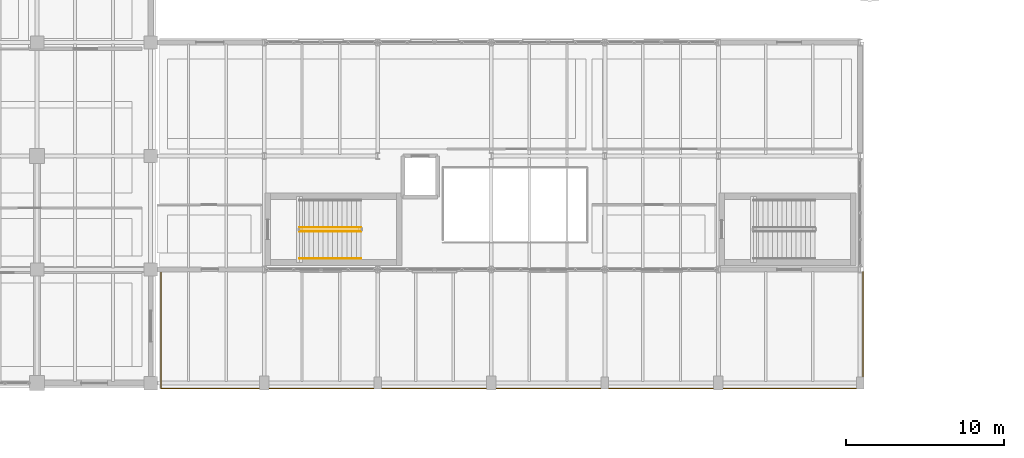
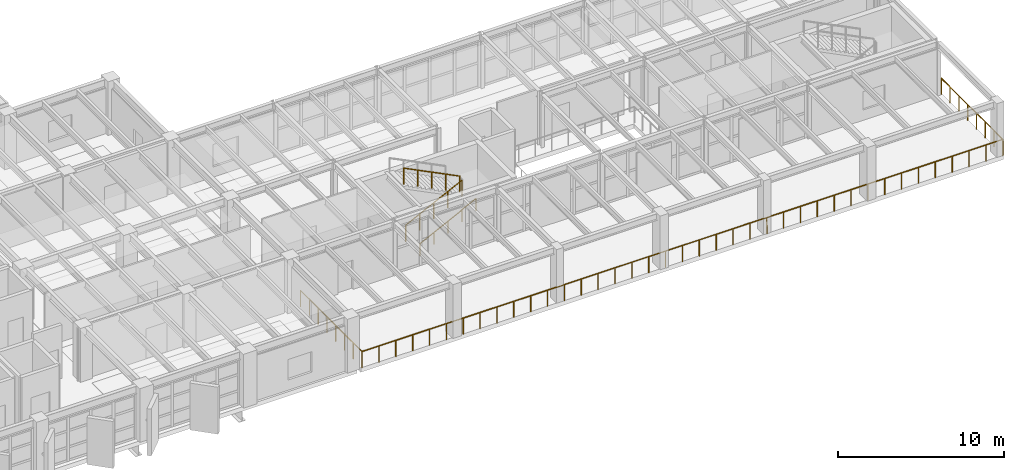
# One storey, part 55 of 59: 4 railings.
"""IFC4 building model written with IfcOpenShell, lengths in metres."""

from ifc_helpers import new_model, si_unit, direction, frame, origin, origin_2d, place, context, subcontext, project, spatial, circle, extrude, material, type_object, element, save


model = new_model("IFC4")

# Units and contexts
model_context = context("Model", 3, precision=1e-05, world=origin(), true_north=direction((0.0, 1.0)))
body_context = subcontext(model_context, "Body", "Model", "MODEL_VIEW")
ifc_project = project(units=[si_unit("LENGTHUNIT", "METRE"), si_unit("AREAUNIT", "SQUARE_METRE"), si_unit("VOLUMEUNIT", "CUBIC_METRE"), si_unit("PLANEANGLEUNIT", "RADIAN"), si_unit("MASSUNIT", "GRAM", prefix="KILO")], contexts=[model_context])

# Site, building, storey
site_placement = place(None, origin())
site = spatial("IfcSite", under=ifc_project, at=site_placement, CompositionType="ELEMENT")
building_placement = place(site_placement, origin())
building = spatial("IfcBuilding", under=site, at=building_placement, Name="Kandorven Conservatory and Botanical Research Centre", CompositionType="ELEMENT")
storey_placement = place(building_placement, frame((0.0, 0.0, 4.800048828125)))
storey = spatial("IfcBuildingStorey", under=building, at=storey_placement, Name="L01", CompositionType="ELEMENT", Elevation=4.800048828125)

# Railings
ifc_material_1 = material(Name="Steel S355 (IS 2062 E350)", Category="steel")
railing_type_1 = type_object("IfcRailingType", Name="Guard_Terrace", PredefinedType="BALUSTRADE", material=ifc_material_1)
railing_1_placement = place(storey_placement, frame((42.64990234375, 13.050048828125, 0.0)))
element("IfcRailing", 1, at=railing_1_placement, inside=storey, type_object=railing_type_1, Name="Visitor L01 covered colonnade balcony guard balustrade GR-01", PredefinedType="BALUSTRADE", context=body_context, shape_type="SweptSolid", body=[
    extrude(circle(Radius=0.02392578125, at=origin_2d()), frame((0.0, 0.0, 1.17578125), z_axis=(0.0, -1.0, 0.0), x_axis=(1.0, 0.0, 0.0)), (0.0, 0.0, 1.0), 7.400146484375),
    extrude(circle(Radius=0.02392578125, at=origin_2d()), frame((0.0, -7.400146484375, 1.17578125), z_axis=(1.0, 0.0, 0.0), x_axis=(0.0, 1.0, 0.0)), (0.0, 0.0, 1.0), 44.530029296875),
    extrude(circle(Radius=0.02392578125, at=origin_2d()), frame((44.530029296875, -7.400146484375, 1.17578125), z_axis=(0.0, 1.0, 0.0), x_axis=(-1.0, 0.0, 0.0)), (0.0, 0.0, 1.0), 7.400146484375),
    extrude(circle(Radius=0.02099609375, at=origin_2d()), origin(), (0.0, 0.0, 1.0), 1.15185546875),
    extrude(circle(Radius=0.02099609375, at=origin_2d()), frame((0.0, -1.05712890625, 0.0)), (0.0, 0.0, 1.0), 1.15185546875),
    extrude(circle(Radius=0.02099609375, at=origin_2d()), frame((0.0, -2.1142578125, 0.0)), (0.0, 0.0, 1.0), 1.15185546875),
    extrude(circle(Radius=0.02099609375, at=origin_2d()), frame((0.0, -3.17138671875, 0.0)), (0.0, 0.0, 1.0), 1.15185546875),
    extrude(circle(Radius=0.02099609375, at=origin_2d()), frame((0.0, -4.228759765625, 0.0)), (0.0, 0.0, 1.0), 1.15185546875),
    extrude(circle(Radius=0.02099609375, at=origin_2d()), frame((0.0, -5.285888671875, 0.0)), (0.0, 0.0, 1.0), 1.15185546875),
    extrude(circle(Radius=0.02099609375, at=origin_2d()), frame((0.0, -6.343017578125, 0.0)), (0.0, 0.0, 1.0), 1.15185546875),
    extrude(circle(Radius=0.02099609375, at=origin_2d()), frame((0.0, -7.400146484375, 0.0)), (0.0, 0.0, 1.0), 1.15185546875),
    extrude(circle(Radius=0.02099609375, at=origin_2d()), frame((1.171875, -7.400146484375, 0.0)), (0.0, 0.0, 1.0), 1.15185546875),
    extrude(circle(Radius=0.02099609375, at=origin_2d()), frame((2.34375, -7.400146484375, 0.0)), (0.0, 0.0, 1.0), 1.15185546875),
    extrude(circle(Radius=0.02099609375, at=origin_2d()), frame((3.515625, -7.400146484375, 0.0)), (0.0, 0.0, 1.0), 1.15185546875),
    extrude(circle(Radius=0.02099609375, at=origin_2d()), frame((4.687255859375, -7.400146484375, 0.0)), (0.0, 0.0, 1.0), 1.15185546875),
    extrude(circle(Radius=0.02099609375, at=origin_2d()), frame((5.859130859375, -7.400146484375, 0.0)), (0.0, 0.0, 1.0), 1.15185546875),
    extrude(circle(Radius=0.02099609375, at=origin_2d()), frame((7.031005859375, -7.400146484375, 0.0)), (0.0, 0.0, 1.0), 1.15185546875),
    extrude(circle(Radius=0.02099609375, at=origin_2d()), frame((8.202880859375, -7.400146484375, 0.0)), (0.0, 0.0, 1.0), 1.15185546875),
    extrude(circle(Radius=0.02099609375, at=origin_2d()), frame((9.374755859375, -7.400146484375, 0.0)), (0.0, 0.0, 1.0), 1.15185546875),
    extrude(circle(Radius=0.02099609375, at=origin_2d()), frame((10.546630859375, -7.400146484375, 0.0)), (0.0, 0.0, 1.0), 1.15185546875),
    extrude(circle(Radius=0.02099609375, at=origin_2d()), frame((11.718505859375, -7.400146484375, 0.0)), (0.0, 0.0, 1.0), 1.15185546875),
    extrude(circle(Radius=0.02099609375, at=origin_2d()), frame((12.890380859375, -7.400146484375, 0.0)), (0.0, 0.0, 1.0), 1.15185546875),
    extrude(circle(Radius=0.02099609375, at=origin_2d()), frame((14.06201171875, -7.400146484375, 0.0)), (0.0, 0.0, 1.0), 1.15185546875),
    extrude(circle(Radius=0.02099609375, at=origin_2d()), frame((15.23388671875, -7.400146484375, 0.0)), (0.0, 0.0, 1.0), 1.15185546875),
    extrude(circle(Radius=0.02099609375, at=origin_2d()), frame((16.40576171875, -7.400146484375, 0.0)), (0.0, 0.0, 1.0), 1.15185546875),
    extrude(circle(Radius=0.02099609375, at=origin_2d()), frame((17.57763671875, -7.400146484375, 0.0)), (0.0, 0.0, 1.0), 1.15185546875),
    extrude(circle(Radius=0.02099609375, at=origin_2d()), frame((18.74951171875, -7.400146484375, 0.0)), (0.0, 0.0, 1.0), 1.15185546875),
    extrude(circle(Radius=0.02099609375, at=origin_2d()), frame((19.92138671875, -7.400146484375, 0.0)), (0.0, 0.0, 1.0), 1.15185546875),
    extrude(circle(Radius=0.02099609375, at=origin_2d()), frame((21.09326171875, -7.400146484375, 0.0)), (0.0, 0.0, 1.0), 1.15185546875),
    extrude(circle(Radius=0.02099609375, at=origin_2d()), frame((22.26513671875, -7.400146484375, 0.0)), (0.0, 0.0, 1.0), 1.15185546875),
    extrude(circle(Radius=0.02099609375, at=origin_2d()), frame((23.436767578125, -7.400146484375, 0.0)), (0.0, 0.0, 1.0), 1.15185546875),
    extrude(circle(Radius=0.02099609375, at=origin_2d()), frame((24.608642578125, -7.400146484375, 0.0)), (0.0, 0.0, 1.0), 1.15185546875),
    extrude(circle(Radius=0.02099609375, at=origin_2d()), frame((25.780517578125, -7.400146484375, 0.0)), (0.0, 0.0, 1.0), 1.15185546875),
    extrude(circle(Radius=0.02099609375, at=origin_2d()), frame((26.952392578125, -7.400146484375, 0.0)), (0.0, 0.0, 1.0), 1.15185546875),
    extrude(circle(Radius=0.02099609375, at=origin_2d()), frame((28.124267578125, -7.400146484375, 0.0)), (0.0, 0.0, 1.0), 1.15185546875),
    extrude(circle(Radius=0.02099609375, at=origin_2d()), frame((29.296142578125, -7.400146484375, 0.0)), (0.0, 0.0, 1.0), 1.15185546875),
    extrude(circle(Radius=0.02099609375, at=origin_2d()), frame((30.468017578125, -7.400146484375, 0.0)), (0.0, 0.0, 1.0), 1.15185546875),
    extrude(circle(Radius=0.02099609375, at=origin_2d()), frame((31.6396484375, -7.400146484375, 0.0)), (0.0, 0.0, 1.0), 1.15185546875),
    extrude(circle(Radius=0.02099609375, at=origin_2d()), frame((32.8115234375, -7.400146484375, 0.0)), (0.0, 0.0, 1.0), 1.15185546875),
    extrude(circle(Radius=0.02099609375, at=origin_2d()), frame((33.9833984375, -7.400146484375, 0.0)), (0.0, 0.0, 1.0), 1.15185546875),
    extrude(circle(Radius=0.02099609375, at=origin_2d()), frame((35.1552734375, -7.400146484375, 0.0)), (0.0, 0.0, 1.0), 1.15185546875),
    extrude(circle(Radius=0.02099609375, at=origin_2d()), frame((36.3271484375, -7.400146484375, 0.0)), (0.0, 0.0, 1.0), 1.15185546875),
    extrude(circle(Radius=0.02099609375, at=origin_2d()), frame((37.4990234375, -7.400146484375, 0.0)), (0.0, 0.0, 1.0), 1.15185546875),
    extrude(circle(Radius=0.02099609375, at=origin_2d()), frame((38.6708984375, -7.400146484375, 0.0)), (0.0, 0.0, 1.0), 1.15185546875),
    extrude(circle(Radius=0.02099609375, at=origin_2d()), frame((39.8427734375, -7.400146484375, 0.0)), (0.0, 0.0, 1.0), 1.15185546875),
    extrude(circle(Radius=0.02099609375, at=origin_2d()), frame((41.014404296875, -7.400146484375, 0.0)), (0.0, 0.0, 1.0), 1.15185546875),
    extrude(circle(Radius=0.02099609375, at=origin_2d()), frame((42.186279296875, -7.400146484375, 0.0)), (0.0, 0.0, 1.0), 1.15185546875),
    extrude(circle(Radius=0.02099609375, at=origin_2d()), frame((43.358154296875, -7.400146484375, 0.0)), (0.0, 0.0, 1.0), 1.15185546875),
    extrude(circle(Radius=0.02099609375, at=origin_2d()), frame((44.530029296875, -7.400146484375, 0.0)), (0.0, 0.0, 1.0), 1.15185546875),
    extrude(circle(Radius=0.02099609375, at=origin_2d()), frame((44.530029296875, -6.343017578125, 0.0)), (0.0, 0.0, 1.0), 1.15185546875),
    extrude(circle(Radius=0.02099609375, at=origin_2d()), frame((44.530029296875, -5.285888671875, 0.0)), (0.0, 0.0, 1.0), 1.15185546875),
    extrude(circle(Radius=0.02099609375, at=origin_2d()), frame((44.530029296875, -4.228759765625, 0.0)), (0.0, 0.0, 1.0), 1.15185546875),
    extrude(circle(Radius=0.02099609375, at=origin_2d()), frame((44.530029296875, -3.17138671875, 0.0)), (0.0, 0.0, 1.0), 1.15185546875),
    extrude(circle(Radius=0.02099609375, at=origin_2d()), frame((44.530029296875, -2.1142578125, 0.0)), (0.0, 0.0, 1.0), 1.15185546875),
    extrude(circle(Radius=0.02099609375, at=origin_2d()), frame((44.530029296875, -1.05712890625, 0.0)), (0.0, 0.0, 1.0), 1.15185546875),
    extrude(circle(Radius=0.02099609375, at=origin_2d()), frame((44.530029296875, 0.0, 0.0)), (0.0, 0.0, 1.0), 1.15185546875),
])
ifc_material_2 = material(Name="Steel S355 (IS 2062 E350)", Category="steel")
railing_type_2 = type_object("IfcRailingType", Name="StairGuard_1150", PredefinedType="BALUSTRADE", material=ifc_material_2)
railing_2_placement = place(storey_placement, frame((51.43994140625, 15.6201171875, 0.14990234375)))
element("IfcRailing", 2, at=railing_2_placement, inside=storey, type_object=railing_type_2, Name="L01 ST-V3A stair guard 1", PredefinedType="BALUSTRADE", context=body_context, shape_type="SweptSolid", body=[
    extrude(circle(Radius=0.02392578125, at=origin_2d()), frame((0.0, 0.0, 1.17578125), z_axis=(0.894438388696, 0.0, 0.447191199406), x_axis=(0.0, 1.0, 0.0)), (0.0, 0.0, 1.0), 4.3603515625),
    extrude(circle(Radius=0.02099609375, at=origin_2d()), origin(), (0.0, 0.0, 1.0), 1.15185546875),
    extrude(circle(Radius=0.02099609375, at=origin_2d()), frame((0.97509765625, 0.0, 0.487548828125)), (0.0, 0.0, 1.0), 1.15185546875),
    extrude(circle(Radius=0.02099609375, at=origin_2d()), frame((1.9501953125, 0.0, 0.97509765625)), (0.0, 0.0, 1.0), 1.15185546875),
    extrude(circle(Radius=0.02099609375, at=origin_2d()), frame((2.925048828125, 0.0, 1.46240234375)), (0.0, 0.0, 1.0), 1.15185546875),
    extrude(circle(Radius=0.02099609375, at=origin_2d()), frame((3.900146484375, 0.0, 1.949951171875)), (0.0, 0.0, 1.0), 1.15185546875),
])
railing_3_placement = place(storey_placement, frame((55.340087890625, 15.8701171875, 2.25)))
element("IfcRailing", 3, at=railing_3_placement, inside=storey, type_object=railing_type_2, Name="L01 ST-V3A stair guard 3", PredefinedType="BALUSTRADE", context=body_context, shape_type="SweptSolid", body=[
    extrude(circle(Radius=0.02392578125, at=origin_2d()), frame((0.0, 0.0, 1.17578125), z_axis=(-0.894438388696, 0.0, 0.447191199406), x_axis=(0.0, -1.0, 0.0)), (0.0, 0.0, 1.0), 4.3603515625),
    extrude(circle(Radius=0.02099609375, at=origin_2d()), origin(), (0.0, 0.0, 1.0), 1.15185546875),
    extrude(circle(Radius=0.02099609375, at=origin_2d()), frame((-0.97509765625, 0.0, 0.487548828125)), (0.0, 0.0, 1.0), 1.15185546875),
    extrude(circle(Radius=0.02099609375, at=origin_2d()), frame((-1.9501953125, 0.0, 0.97509765625)), (0.0, 0.0, 1.0), 1.15185546875),
    extrude(circle(Radius=0.02099609375, at=origin_2d()), frame((-2.925048828125, 0.0, 1.46240234375)), (0.0, 0.0, 1.0), 1.15185546875),
    extrude(circle(Radius=0.02099609375, at=origin_2d()), frame((-3.900146484375, 0.0, 1.949951171875)), (0.0, 0.0, 1.0), 1.15185546875),
])
ifc_material_3 = material(Name="Steel S355 (IS 2062 E350)", Category="steel")
railing_type_3 = type_object("IfcRailingType", Name="StairHandrail_900", PredefinedType="HANDRAIL", material=ifc_material_3)
railing_4_placement = place(storey_placement, frame((51.43994140625, 13.89990234375, 0.14990234375)))
element("IfcRailing", 4, at=railing_4_placement, inside=storey, type_object=railing_type_3, Name="L01 ST-V3A stair handrail 1", PredefinedType="HANDRAIL", context=body_context, shape_type="SweptSolid", body=[
    extrude(circle(Radius=0.02392578125, at=origin_2d()), frame((0.0, 0.0, 0.8759765625), z_axis=(0.894438388696, 0.0, 0.447191199406), x_axis=(0.0, 1.0, 0.0)), (0.0, 0.0, 1.0), 4.3603515625),
    extrude(circle(Radius=0.02099609375, at=origin_2d()), origin(), (0.0, 0.0, 1.0), 0.851806640625),
    extrude(circle(Radius=0.02099609375, at=origin_2d()), frame((0.97509765625, 0.0, 0.487548828125)), (0.0, 0.0, 1.0), 0.851806640625),
    extrude(circle(Radius=0.02099609375, at=origin_2d()), frame((1.9501953125, 0.0, 0.97509765625)), (0.0, 0.0, 1.0), 0.851806640625),
    extrude(circle(Radius=0.02099609375, at=origin_2d()), frame((2.925048828125, 0.0, 1.46240234375)), (0.0, 0.0, 1.0), 0.851806640625),
    extrude(circle(Radius=0.02099609375, at=origin_2d()), frame((3.900146484375, 0.0, 1.949951171875)), (0.0, 0.0, 1.0), 0.851806640625),
])

save(model, "model.ifc")
